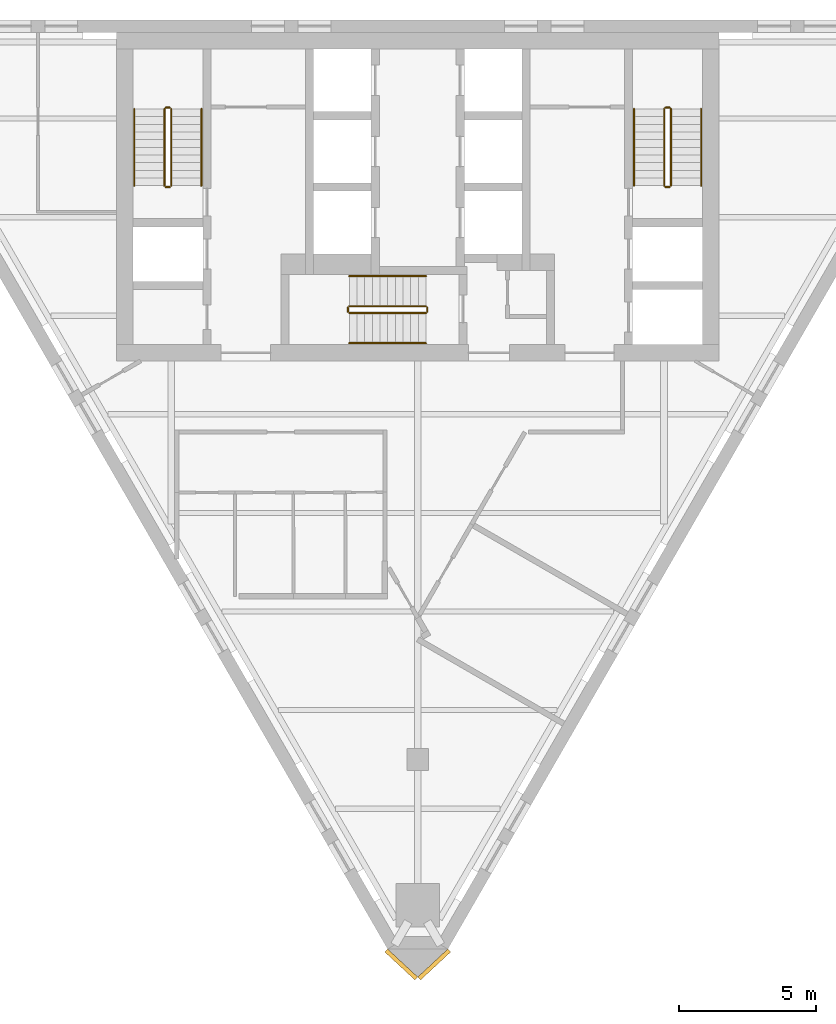
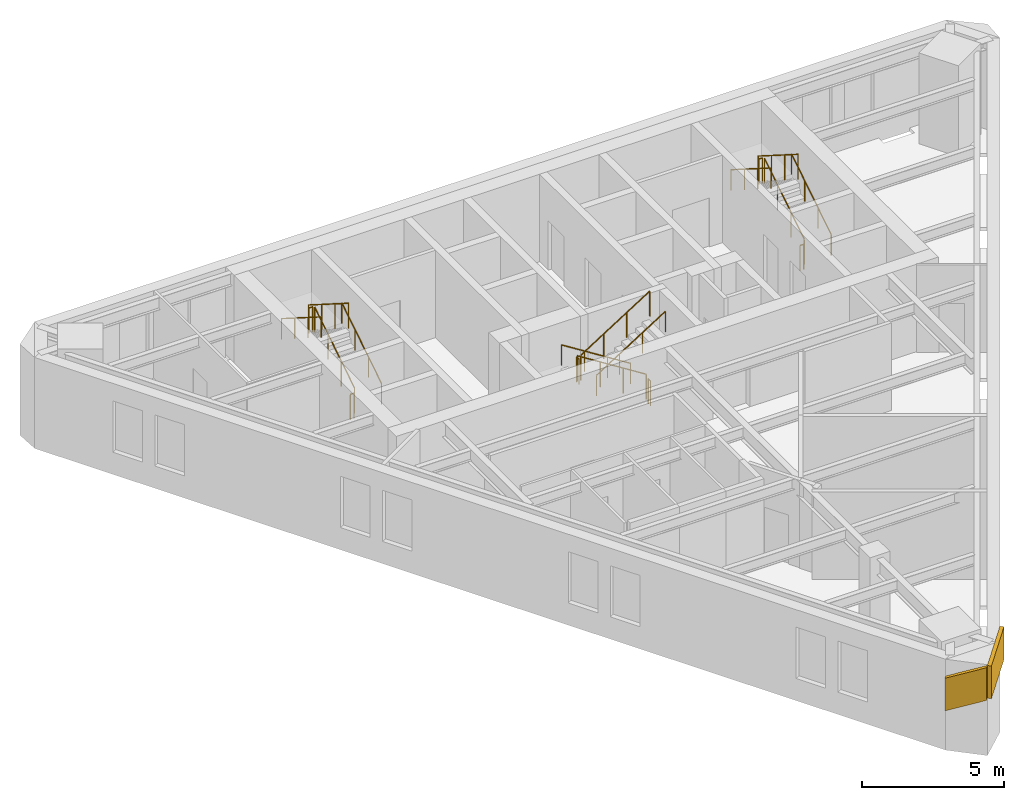
# One storey, part 6 of 6: 18 railings, 2 coverings.
"""IFC4 building model written with IfcOpenShell, lengths in metres."""

from ifc_helpers import new_model, si_unit, direction, frame, origin, origin_2d, place, context, subcontext, project, spatial, polyline, circle, outline, extrude, material, layer, layer_set, type_object, element, save


model = new_model("IFC4")

# Units and contexts
model_context = context("Model", 3, precision=1e-05, world=origin(), true_north=direction((0.0, 1.0)))
body_context = subcontext(model_context, "Body", "Model", "MODEL_VIEW")
ifc_project = project(units=[si_unit("LENGTHUNIT", "METRE"), si_unit("AREAUNIT", "SQUARE_METRE"), si_unit("VOLUMEUNIT", "CUBIC_METRE"), si_unit("PLANEANGLEUNIT", "RADIAN"), si_unit("MASSUNIT", "GRAM", prefix="KILO")], contexts=[model_context])

# Site, building, storey
site_placement = place(None, origin())
site = spatial("IfcSite", under=ifc_project, at=site_placement, CompositionType="ELEMENT")
building_placement = place(site_placement, origin())
building = spatial("IfcBuilding", under=site, at=building_placement, Name="Aloe Facet Convention Tower", CompositionType="ELEMENT")
storey_placement = place(building_placement, frame((0.0, 0.0, 266.0)))
storey = spatial("IfcBuildingStorey", under=building, at=storey_placement, Name="L65", CompositionType="ELEMENT", Elevation=266.0)

# Railings
ifc_material_1 = material(Name="Steel S355 balustrade", Category="steel")
railing_type_1 = type_object("IfcRailingType", Name="CR-RL-GUARD", PredefinedType="GUARDRAIL", material=ifc_material_1)
railing_1_placement = place(storey_placement, frame((71.0, 128.949951171875, 0.17724609375)))
element("IfcRailing", 1, at=railing_1_placement, inside=storey, type_object=railing_type_1, Name="L65 ST1 stair guard 1", PredefinedType="GUARDRAIL", context=body_context, shape_type="SweptSolid", body=[
    extrude(circle(Radius=0.02392578125, at=origin_2d()), frame((0.0, 0.0, 1.076171875), z_axis=(0.0, 0.844908973607, 0.534910110503), x_axis=(-1.0, 0.0, 0.0)), (0.0, 0.0, 1.0), 3.31396484375),
    extrude(circle(Radius=0.02099609375, at=origin_2d()), origin(), (0.0, 0.0, 1.0), 1.052001953125),
    extrude(circle(Radius=0.02099609375, at=origin_2d()), frame((0.0, 0.933349609375, 0.5908203125)), (0.0, 0.0, 1.0), 1.052001953125),
    extrude(circle(Radius=0.02099609375, at=origin_2d()), frame((0.0, 1.86669921875, 1.181884765625)), (0.0, 0.0, 1.0), 1.052001953125),
    extrude(circle(Radius=0.02099609375, at=origin_2d()), frame((0.0, 2.800048828125, 1.772705078125)), (0.0, 0.0, 1.0), 1.052001953125),
])
railing_2_placement = place(storey_placement, frame((70.949951171875, 131.800048828125, 1.949951171875)))
element("IfcRailing", 2, at=railing_2_placement, inside=storey, type_object=railing_type_1, Name="L65 ST1 stair guard 2", PredefinedType="GUARDRAIL", context=body_context, shape_type="SweptSolid", body=[
    extrude(circle(Radius=0.02392578125, at=origin_2d()), frame((0.0, 0.0, 1.076171875), z_axis=(-1.0, 0.0, 0.0), x_axis=(0.0, -1.0, 0.0)), (0.0, 0.0, 1.0), 0.14990234375),
    extrude(circle(Radius=0.02099609375, at=origin_2d()), origin(), (0.0, 0.0, 1.0), 1.052001953125),
    extrude(circle(Radius=0.02099609375, at=origin_2d()), frame((-0.14990234375, 0.0, 0.0)), (0.0, 0.0, 1.0), 1.052001953125),
])
railing_3_placement = place(storey_placement, frame((70.75, 131.75, 2.127197265625)))
element("IfcRailing", 3, at=railing_3_placement, inside=storey, type_object=railing_type_1, Name="L65 ST1 stair guard 3", PredefinedType="GUARDRAIL", context=body_context, shape_type="SweptSolid", body=[
    extrude(circle(Radius=0.02392578125, at=origin_2d()), frame((0.0, 0.0, 1.076171875), z_axis=(0.0, -0.844908973607, 0.534910110503), x_axis=(1.0, 0.0, 0.0)), (0.0, 0.0, 1.0), 3.31396484375),
    extrude(circle(Radius=0.02099609375, at=origin_2d()), origin(), (0.0, 0.0, 1.0), 1.052001953125),
    extrude(circle(Radius=0.02099609375, at=origin_2d()), frame((0.0, -0.933349609375, 0.5908203125)), (0.0, 0.0, 1.0), 1.052001953125),
    extrude(circle(Radius=0.02099609375, at=origin_2d()), frame((0.0, -1.86669921875, 1.181884765625)), (0.0, 0.0, 1.0), 1.052001953125),
    extrude(circle(Radius=0.02099609375, at=origin_2d()), frame((0.0, -2.800048828125, 1.772705078125)), (0.0, 0.0, 1.0), 1.052001953125),
])
railing_4_placement = place(storey_placement, frame((70.949951171875, 128.89990234375, 0.0)))
element("IfcRailing", 4, at=railing_4_placement, inside=storey, type_object=railing_type_1, Name="L65 ST1 stair guard 4", PredefinedType="GUARDRAIL", context=body_context, shape_type="SweptSolid", body=[
    extrude(circle(Radius=0.02392578125, at=origin_2d()), frame((0.0, 0.0, 1.076171875), z_axis=(-1.0, 0.0, 0.0), x_axis=(0.0, -1.0, 0.0)), (0.0, 0.0, 1.0), 0.14990234375),
    extrude(circle(Radius=0.02099609375, at=origin_2d()), origin(), (0.0, 0.0, 1.0), 1.052001953125),
    extrude(circle(Radius=0.02099609375, at=origin_2d()), frame((-0.14990234375, 0.0, 0.0)), (0.0, 0.0, 1.0), 1.052001953125),
])
railing_5_placement = place(storey_placement, frame((89.25, 128.949951171875, 0.17724609375)))
element("IfcRailing", 5, at=railing_5_placement, inside=storey, type_object=railing_type_1, Name="L65 ST2 stair guard 1", PredefinedType="GUARDRAIL", context=body_context, shape_type="SweptSolid", body=[
    extrude(circle(Radius=0.02392578125, at=origin_2d()), frame((0.0, 0.0, 1.076171875), z_axis=(0.0, 0.844908973607, 0.534910110503), x_axis=(-1.0, 0.0, 0.0)), (0.0, 0.0, 1.0), 3.31396484375),
    extrude(circle(Radius=0.02099609375, at=origin_2d()), origin(), (0.0, 0.0, 1.0), 1.052001953125),
    extrude(circle(Radius=0.02099609375, at=origin_2d()), frame((0.0, 0.933349609375, 0.5908203125)), (0.0, 0.0, 1.0), 1.052001953125),
    extrude(circle(Radius=0.02099609375, at=origin_2d()), frame((0.0, 1.86669921875, 1.181884765625)), (0.0, 0.0, 1.0), 1.052001953125),
    extrude(circle(Radius=0.02099609375, at=origin_2d()), frame((0.0, 2.800048828125, 1.772705078125)), (0.0, 0.0, 1.0), 1.052001953125),
])
railing_6_placement = place(storey_placement, frame((89.199951171875, 131.800048828125, 1.949951171875)))
element("IfcRailing", 6, at=railing_6_placement, inside=storey, type_object=railing_type_1, Name="L65 ST2 stair guard 2", PredefinedType="GUARDRAIL", context=body_context, shape_type="SweptSolid", body=[
    extrude(circle(Radius=0.02392578125, at=origin_2d()), frame((0.0, 0.0, 1.076171875), z_axis=(-1.0, 0.0, 0.0), x_axis=(0.0, -1.0, 0.0)), (0.0, 0.0, 1.0), 0.14990234375),
    extrude(circle(Radius=0.02099609375, at=origin_2d()), origin(), (0.0, 0.0, 1.0), 1.052001953125),
    extrude(circle(Radius=0.02099609375, at=origin_2d()), frame((-0.14990234375, 0.0, 0.0)), (0.0, 0.0, 1.0), 1.052001953125),
])
railing_7_placement = place(storey_placement, frame((89.0, 131.75, 2.127197265625)))
element("IfcRailing", 7, at=railing_7_placement, inside=storey, type_object=railing_type_1, Name="L65 ST2 stair guard 3", PredefinedType="GUARDRAIL", context=body_context, shape_type="SweptSolid", body=[
    extrude(circle(Radius=0.02392578125, at=origin_2d()), frame((0.0, 0.0, 1.076171875), z_axis=(0.0, -0.844908973607, 0.534910110503), x_axis=(1.0, 0.0, 0.0)), (0.0, 0.0, 1.0), 3.31396484375),
    extrude(circle(Radius=0.02099609375, at=origin_2d()), origin(), (0.0, 0.0, 1.0), 1.052001953125),
    extrude(circle(Radius=0.02099609375, at=origin_2d()), frame((0.0, -0.933349609375, 0.5908203125)), (0.0, 0.0, 1.0), 1.052001953125),
    extrude(circle(Radius=0.02099609375, at=origin_2d()), frame((0.0, -1.86669921875, 1.181884765625)), (0.0, 0.0, 1.0), 1.052001953125),
    extrude(circle(Radius=0.02099609375, at=origin_2d()), frame((0.0, -2.800048828125, 1.772705078125)), (0.0, 0.0, 1.0), 1.052001953125),
])
railing_8_placement = place(storey_placement, frame((89.199951171875, 128.89990234375, 0.0)))
element("IfcRailing", 8, at=railing_8_placement, inside=storey, type_object=railing_type_1, Name="L65 ST2 stair guard 4", PredefinedType="GUARDRAIL", context=body_context, shape_type="SweptSolid", body=[
    extrude(circle(Radius=0.02392578125, at=origin_2d()), frame((0.0, 0.0, 1.076171875), z_axis=(-1.0, 0.0, 0.0), x_axis=(0.0, -1.0, 0.0)), (0.0, 0.0, 1.0), 0.14990234375),
    extrude(circle(Radius=0.02099609375, at=origin_2d()), origin(), (0.0, 0.0, 1.0), 1.052001953125),
    extrude(circle(Radius=0.02099609375, at=origin_2d()), frame((-0.14990234375, 0.0, 0.0)), (0.0, 0.0, 1.0), 1.052001953125),
])
railing_9_placement = place(storey_placement, frame((80.300048828125, 124.550048828125, 0.17724609375)))
element("IfcRailing", 9, at=railing_9_placement, inside=storey, type_object=railing_type_1, Name="L65 ST3 stair guard 1", PredefinedType="GUARDRAIL", context=body_context, shape_type="SweptSolid", body=[
    extrude(circle(Radius=0.02392578125, at=origin_2d()), frame((0.0, 0.0, 1.076171875), z_axis=(-0.844908973607, 0.0, 0.534910110503), x_axis=(0.0, -1.0, 0.0)), (0.0, 0.0, 1.0), 3.31396484375),
    extrude(circle(Radius=0.02099609375, at=origin_2d()), origin(), (0.0, 0.0, 1.0), 1.052001953125),
    extrude(circle(Radius=0.02099609375, at=origin_2d()), frame((-0.933349609375, 0.0, 0.5908203125)), (0.0, 0.0, 1.0), 1.052001953125),
    extrude(circle(Radius=0.02099609375, at=origin_2d()), frame((-1.86669921875, 0.0, 1.181884765625)), (0.0, 0.0, 1.0), 1.052001953125),
    extrude(circle(Radius=0.02099609375, at=origin_2d()), frame((-2.800048828125, 0.0, 1.772705078125)), (0.0, 0.0, 1.0), 1.052001953125),
])
railing_10_placement = place(storey_placement, frame((77.449951171875, 124.5, 1.949951171875)))
element("IfcRailing", 10, at=railing_10_placement, inside=storey, type_object=railing_type_1, Name="L65 ST3 stair guard 2", PredefinedType="GUARDRAIL", context=body_context, shape_type="SweptSolid", body=[
    extrude(circle(Radius=0.02392578125, at=origin_2d()), frame((0.0, 0.0, 1.076171875), z_axis=(0.0, -1.0, 0.0), x_axis=(1.0, 0.0, 0.0)), (0.0, 0.0, 1.0), 0.14990234375),
    extrude(circle(Radius=0.02099609375, at=origin_2d()), origin(), (0.0, 0.0, 1.0), 1.052001953125),
    extrude(circle(Radius=0.02099609375, at=origin_2d()), frame((0.0, -0.14990234375, 0.0)), (0.0, 0.0, 1.0), 1.052001953125),
])
railing_11_placement = place(storey_placement, frame((77.5, 124.300048828125, 2.127197265625)))
element("IfcRailing", 11, at=railing_11_placement, inside=storey, type_object=railing_type_1, Name="L65 ST3 stair guard 3", PredefinedType="GUARDRAIL", context=body_context, shape_type="SweptSolid", body=[
    extrude(circle(Radius=0.02392578125, at=origin_2d()), frame((0.0, 0.0, 1.076171875), z_axis=(0.844908973607, 0.0, 0.534910110503), x_axis=(0.0, 1.0, 0.0)), (0.0, 0.0, 1.0), 3.31396484375),
    extrude(circle(Radius=0.02099609375, at=origin_2d()), origin(), (0.0, 0.0, 1.0), 1.052001953125),
    extrude(circle(Radius=0.02099609375, at=origin_2d()), frame((0.933349609375, 0.0, 0.5908203125)), (0.0, 0.0, 1.0), 1.052001953125),
    extrude(circle(Radius=0.02099609375, at=origin_2d()), frame((1.86669921875, 0.0, 1.181884765625)), (0.0, 0.0, 1.0), 1.052001953125),
    extrude(circle(Radius=0.02099609375, at=origin_2d()), frame((2.800048828125, 0.0, 1.772705078125)), (0.0, 0.0, 1.0), 1.052001953125),
])
railing_12_placement = place(storey_placement, frame((80.35009765625, 124.5, 0.0)))
element("IfcRailing", 12, at=railing_12_placement, inside=storey, type_object=railing_type_1, Name="L65 ST3 stair guard 4", PredefinedType="GUARDRAIL", context=body_context, shape_type="SweptSolid", body=[
    extrude(circle(Radius=0.02392578125, at=origin_2d()), frame((0.0, 0.0, 1.076171875), z_axis=(0.0, -1.0, 0.0), x_axis=(1.0, 0.0, 0.0)), (0.0, 0.0, 1.0), 0.14990234375),
    extrude(circle(Radius=0.02099609375, at=origin_2d()), origin(), (0.0, 0.0, 1.0), 1.052001953125),
    extrude(circle(Radius=0.02099609375, at=origin_2d()), frame((0.0, -0.14990234375, 0.0)), (0.0, 0.0, 1.0), 1.052001953125),
])
ifc_material_2 = material(Name="Steel S355 handrail", Category="steel")
railing_type_2 = type_object("IfcRailingType", Name="CR-RL-HAND", PredefinedType="HANDRAIL", material=ifc_material_2)
railing_13_placement = place(storey_placement, frame((72.10009765625, 128.949951171875, 0.17724609375)))
element("IfcRailing", 13, at=railing_13_placement, inside=storey, type_object=railing_type_2, Name="L65 ST1 stair handrail 1", PredefinedType="HANDRAIL", context=body_context, shape_type="SweptSolid", body=[
    extrude(circle(Radius=0.02392578125, at=origin_2d()), frame((0.0, 0.0, 0.8759765625), z_axis=(0.0, 0.844908973607, 0.534910110503), x_axis=(-1.0, 0.0, 0.0)), (0.0, 0.0, 1.0), 3.31396484375),
    extrude(circle(Radius=0.02099609375, at=origin_2d()), origin(), (0.0, 0.0, 1.0), 0.851806640625),
    extrude(circle(Radius=0.02099609375, at=origin_2d()), frame((0.0, 0.933349609375, 0.5908203125)), (0.0, 0.0, 1.0), 0.851806640625),
    extrude(circle(Radius=0.02099609375, at=origin_2d()), frame((0.0, 1.86669921875, 1.181884765625)), (0.0, 0.0, 1.0), 0.851806640625),
    extrude(circle(Radius=0.02099609375, at=origin_2d()), frame((0.0, 2.800048828125, 1.772705078125)), (0.0, 0.0, 1.0), 0.851806640625),
])
railing_14_placement = place(storey_placement, frame((69.64990234375, 131.75, 2.127197265625)))
element("IfcRailing", 14, at=railing_14_placement, inside=storey, type_object=railing_type_2, Name="L65 ST1 stair handrail 2", PredefinedType="HANDRAIL", context=body_context, shape_type="SweptSolid", body=[
    extrude(circle(Radius=0.02392578125, at=origin_2d()), frame((0.0, 0.0, 0.8759765625), z_axis=(0.0, -0.844908973607, 0.534910110503), x_axis=(1.0, 0.0, 0.0)), (0.0, 0.0, 1.0), 3.31396484375),
    extrude(circle(Radius=0.02099609375, at=origin_2d()), origin(), (0.0, 0.0, 1.0), 0.851806640625),
    extrude(circle(Radius=0.02099609375, at=origin_2d()), frame((0.0, -0.933349609375, 0.5908203125)), (0.0, 0.0, 1.0), 0.851806640625),
    extrude(circle(Radius=0.02099609375, at=origin_2d()), frame((0.0, -1.86669921875, 1.181884765625)), (0.0, 0.0, 1.0), 0.851806640625),
    extrude(circle(Radius=0.02099609375, at=origin_2d()), frame((0.0, -2.800048828125, 1.772705078125)), (0.0, 0.0, 1.0), 0.851806640625),
])
railing_15_placement = place(storey_placement, frame((90.35009765625, 128.949951171875, 0.17724609375)))
element("IfcRailing", 15, at=railing_15_placement, inside=storey, type_object=railing_type_2, Name="L65 ST2 stair handrail 1", PredefinedType="HANDRAIL", context=body_context, shape_type="SweptSolid", body=[
    extrude(circle(Radius=0.02392578125, at=origin_2d()), frame((0.0, 0.0, 0.8759765625), z_axis=(0.0, 0.844908973607, 0.534910110503), x_axis=(-1.0, 0.0, 0.0)), (0.0, 0.0, 1.0), 3.31396484375),
    extrude(circle(Radius=0.02099609375, at=origin_2d()), origin(), (0.0, 0.0, 1.0), 0.851806640625),
    extrude(circle(Radius=0.02099609375, at=origin_2d()), frame((0.0, 0.933349609375, 0.5908203125)), (0.0, 0.0, 1.0), 0.851806640625),
    extrude(circle(Radius=0.02099609375, at=origin_2d()), frame((0.0, 1.86669921875, 1.181884765625)), (0.0, 0.0, 1.0), 0.851806640625),
    extrude(circle(Radius=0.02099609375, at=origin_2d()), frame((0.0, 2.800048828125, 1.772705078125)), (0.0, 0.0, 1.0), 0.851806640625),
])
railing_16_placement = place(storey_placement, frame((87.89990234375, 131.75, 2.127197265625)))
element("IfcRailing", 16, at=railing_16_placement, inside=storey, type_object=railing_type_2, Name="L65 ST2 stair handrail 2", PredefinedType="HANDRAIL", context=body_context, shape_type="SweptSolid", body=[
    extrude(circle(Radius=0.02392578125, at=origin_2d()), frame((0.0, 0.0, 0.8759765625), z_axis=(0.0, -0.844908973607, 0.534910110503), x_axis=(1.0, 0.0, 0.0)), (0.0, 0.0, 1.0), 3.31396484375),
    extrude(circle(Radius=0.02099609375, at=origin_2d()), origin(), (0.0, 0.0, 1.0), 0.851806640625),
    extrude(circle(Radius=0.02099609375, at=origin_2d()), frame((0.0, -0.933349609375, 0.5908203125)), (0.0, 0.0, 1.0), 0.851806640625),
    extrude(circle(Radius=0.02099609375, at=origin_2d()), frame((0.0, -1.86669921875, 1.181884765625)), (0.0, 0.0, 1.0), 0.851806640625),
    extrude(circle(Radius=0.02099609375, at=origin_2d()), frame((0.0, -2.800048828125, 1.772705078125)), (0.0, 0.0, 1.0), 0.851806640625),
])
railing_17_placement = place(storey_placement, frame((80.300048828125, 125.64990234375, 0.17724609375)))
element("IfcRailing", 17, at=railing_17_placement, inside=storey, type_object=railing_type_2, Name="L65 ST3 stair handrail 1", PredefinedType="HANDRAIL", context=body_context, shape_type="SweptSolid", body=[
    extrude(circle(Radius=0.02392578125, at=origin_2d()), frame((0.0, 0.0, 0.8759765625), z_axis=(-0.844908973607, 0.0, 0.534910110503), x_axis=(0.0, -1.0, 0.0)), (0.0, 0.0, 1.0), 3.31396484375),
    extrude(circle(Radius=0.02099609375, at=origin_2d()), origin(), (0.0, 0.0, 1.0), 0.851806640625),
    extrude(circle(Radius=0.02099609375, at=origin_2d()), frame((-0.933349609375, 0.0, 0.5908203125)), (0.0, 0.0, 1.0), 0.851806640625),
    extrude(circle(Radius=0.02099609375, at=origin_2d()), frame((-1.86669921875, 0.0, 1.181884765625)), (0.0, 0.0, 1.0), 0.851806640625),
    extrude(circle(Radius=0.02099609375, at=origin_2d()), frame((-2.800048828125, 0.0, 1.772705078125)), (0.0, 0.0, 1.0), 0.851806640625),
])
railing_18_placement = place(storey_placement, frame((77.5, 123.199951171875, 2.127197265625)))
element("IfcRailing", 18, at=railing_18_placement, inside=storey, type_object=railing_type_2, Name="L65 ST3 stair handrail 2", PredefinedType="HANDRAIL", context=body_context, shape_type="SweptSolid", body=[
    extrude(circle(Radius=0.02392578125, at=origin_2d()), frame((0.0, 0.0, 0.8759765625), z_axis=(0.844908973607, 0.0, 0.534910110503), x_axis=(0.0, 1.0, 0.0)), (0.0, 0.0, 1.0), 3.31396484375),
    extrude(circle(Radius=0.02099609375, at=origin_2d()), origin(), (0.0, 0.0, 1.0), 0.851806640625),
    extrude(circle(Radius=0.02099609375, at=origin_2d()), frame((0.933349609375, 0.0, 0.5908203125)), (0.0, 0.0, 1.0), 0.851806640625),
    extrude(circle(Radius=0.02099609375, at=origin_2d()), frame((1.86669921875, 0.0, 1.181884765625)), (0.0, 0.0, 1.0), 0.851806640625),
    extrude(circle(Radius=0.02099609375, at=origin_2d()), frame((2.800048828125, 0.0, 1.772705078125)), (0.0, 0.0, 1.0), 0.851806640625),
])

# Coverings
ifc_material_3 = material(Name="Bronze oxide fascia sheet")
ifc_layer = layer(ifc_material_3, 0.14990234375)
ifc_layer_set = layer_set([ifc_layer], Name="EV-FASCIA-TERR")
covering_type = type_object("IfcCoveringType", Name="EV-FASCIA-TERR", PredefinedType="CLADDING", material=ifc_layer_set)
for number, where, z_axis, x_axis, name in (
    (19, (78.7978515625, 100.9658203125, 1.63623046875), (-0.680613229995, -0.732642908351, 0.0), (0.666916638928, -0.619554605094, 0.413973776982), "Spiral ribbon zone 5 part 7 over the corner spine"),
    (20, (80.10205078125, 99.94384765625, 2.319091796875), (0.680613229995, -0.732642908351, 0.0), (0.666916638928, 0.619554605094, 0.413973776982), "Spiral ribbon zone 5 part 8 over the corner spine"),
):
    element("IfcCovering", number, at=place(storey_placement, frame(where, z_axis=z_axis, x_axis=x_axis)), inside=storey, type_object=covering_type, Name=name, PredefinedType="CLADDING", context=body_context, shape_type="SweptSolid", body=[
        extrude(outline(polyline([(0.0, 0.0), (1.6495279800167268, 0.0), (2.2290508406648573, 1.2743154342716525), (0.5795228606481303, 1.2743154342716527), (0.0, 0.0)])), origin(), (0.0, 0.0, -1.0), 0.14990234375),
    ])

save(model, "model.ifc")
